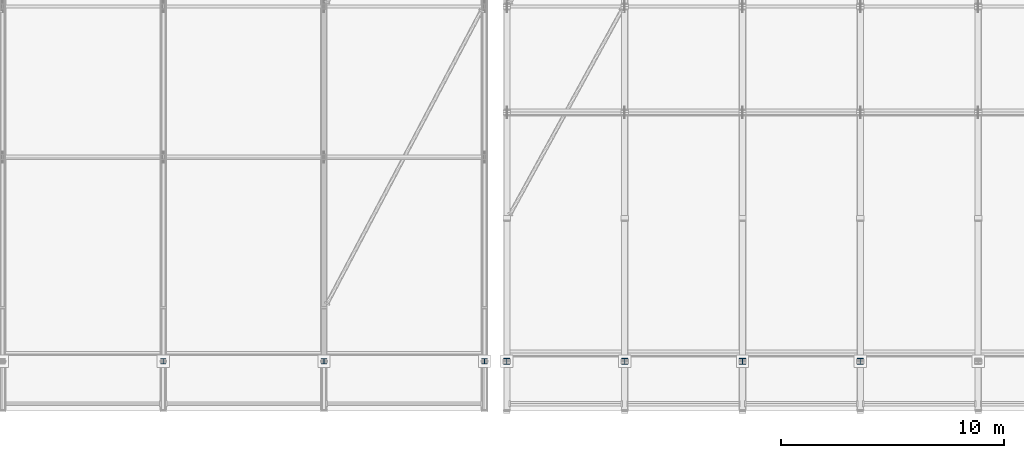
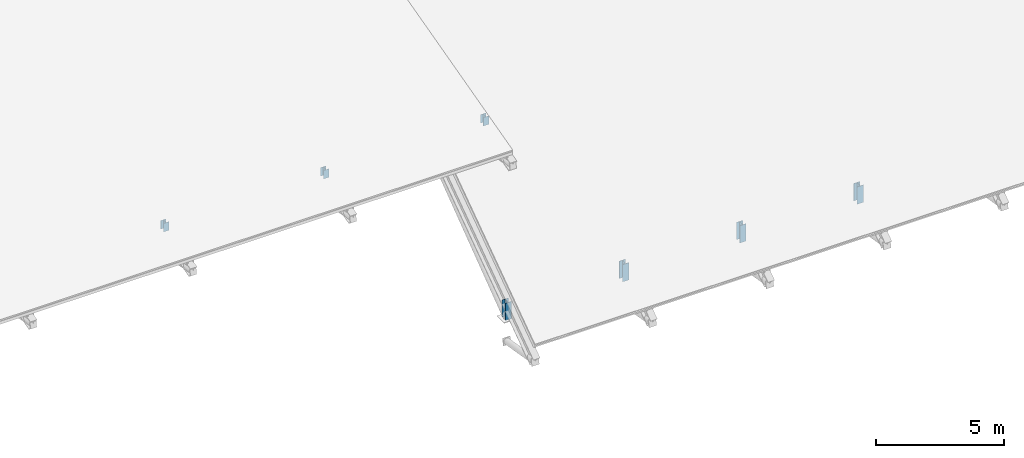
# One storey, part 23 of 57: 7 members.
"""IFC4 building model written with IfcOpenShell, lengths in metres."""

from ifc_helpers import new_model, si_unit, direction, frame, origin, origin_2d, place, context, subcontext, project, spatial, i_section, extrude, material, material_profile, profile_set, type_object, element, save


model = new_model("IFC4")

# Units and contexts
model_context = context("Model", 3, precision=1e-05, world=origin(), true_north=direction((0.0, 1.0)))
body_context = subcontext(model_context, "Body", "Model", "MODEL_VIEW")
ifc_project = project(units=[si_unit("LENGTHUNIT", "METRE"), si_unit("AREAUNIT", "SQUARE_METRE"), si_unit("VOLUMEUNIT", "CUBIC_METRE"), si_unit("PLANEANGLEUNIT", "RADIAN"), si_unit("MASSUNIT", "GRAM", prefix="KILO")], contexts=[model_context])

# Site, building, storey
site_placement = place(None, origin())
site = spatial("IfcSite", under=ifc_project, at=site_placement, CompositionType="ELEMENT")
building_placement = place(site_placement, origin())
building = spatial("IfcBuilding", under=site, at=building_placement, Name="Kelarvand Opera House", CompositionType="ELEMENT")
storey_placement = place(building_placement, frame((0.0, 0.0, 33.60009765625)))
storey = spatial("IfcBuildingStorey", under=building, at=storey_placement, Name="Roof", CompositionType="ELEMENT", Elevation=33.60009765625)

# Members
ifc_material = material(Name="Steel S355", Category="steel")
ifc_material_profile_1 = material_profile(ifc_material, i_section(OverallWidth=0.239990234375, OverallDepth=0.239990234375, WebThickness=0.010009765625, FlangeThickness=0.01708984375, at=origin_2d()), Name="HEB 240", Category="steel")
ifc_profile_set_1 = profile_set([ifc_material_profile_1], Name="Steel S355")
member_type_1 = type_object("IfcMemberType", Name="Structural Post HEB 240 PS-HEB240", PredefinedType="POST", material=ifc_profile_set_1)
for number, where, z_axis, x_axis, name in (
    (1, (73.60009765625, 46.60009765625, 0.0), (0.0, 0.0, 1.0), (1.0, 0.0, 0.0), "V2 Roof Truss 3 Bearing Post S"),
    (2, (80.800048828125, 46.60009765625, 0.0), (0.0, 0.0, 1.0), (1.0, 0.0, 0.0), "V2 Roof Truss 4 Bearing Post S"),
    (3, (88.0, 46.60009765625, 0.0), (0.0, 0.0, 1.0), (1.0, 0.0, 0.0), "V2 Roof Truss 5 Bearing Post S"),
):
    element("IfcMember", number, at=place(storey_placement, frame(where, z_axis=z_axis, x_axis=x_axis)), inside=storey, type_object=member_type_1, Name=name, PredefinedType="POST", context=body_context, shape_type="SweptSolid", body=[
        extrude(i_section(OverallWidth=0.239990234375, OverallDepth=0.239990234375, WebThickness=0.010009765625, FlangeThickness=0.01708984375, at=origin_2d()), origin(), (0.0, 0.0, 1.0), 0.39990234375),
    ])
ifc_material_profile_2 = material_profile(ifc_material, i_section(OverallWidth=0.280029296875, OverallDepth=0.280029296875, WebThickness=0.010498046875, FlangeThickness=0.01806640625, at=origin_2d()), Name="HEB 280", Category="steel")
ifc_profile_set_2 = profile_set([ifc_material_profile_2], Name="Steel S355")
member_type_2 = type_object("IfcMemberType", Name="Structural Post HEB 280 PS-HEB280", PredefinedType="POST", material=ifc_profile_set_2)
for number, where, z_axis, x_axis, name in (
    (4, (89.0, 46.60009765625, -9.60009765625), (0.0, 0.0, 1.0), (1.0, 0.0, 0.0), "V1 Roof Truss 1 Bearing Post S"),
    (5, (94.280029296875, 46.60009765625, -9.60009765625), (0.0, 0.0, 1.0), (1.0, 0.0, 0.0), "V1 Roof Truss 2 Bearing Post S"),
    (6, (99.56005859375, 46.60009765625, -9.60009765625), (0.0, 0.0, 1.0), (1.0, 0.0, 0.0), "V1 Roof Truss 3 Bearing Post S"),
    (7, (104.840087890625, 46.60009765625, -9.60009765625), (0.0, 0.0, 1.0), (1.0, 0.0, 0.0), "V1 Roof Truss 4 Bearing Post S"),
):
    element("IfcMember", number, at=place(storey_placement, frame(where, z_axis=z_axis, x_axis=x_axis)), inside=storey, type_object=member_type_2, Name=name, PredefinedType="POST", context=body_context, shape_type="SweptSolid", body=[
        extrude(i_section(OverallWidth=0.280029296875, OverallDepth=0.280029296875, WebThickness=0.010498046875, FlangeThickness=0.01806640625, at=origin_2d()), origin(), (0.0, 0.0, 1.0), 0.82373046875),
    ])

save(model, "model.ifc")
